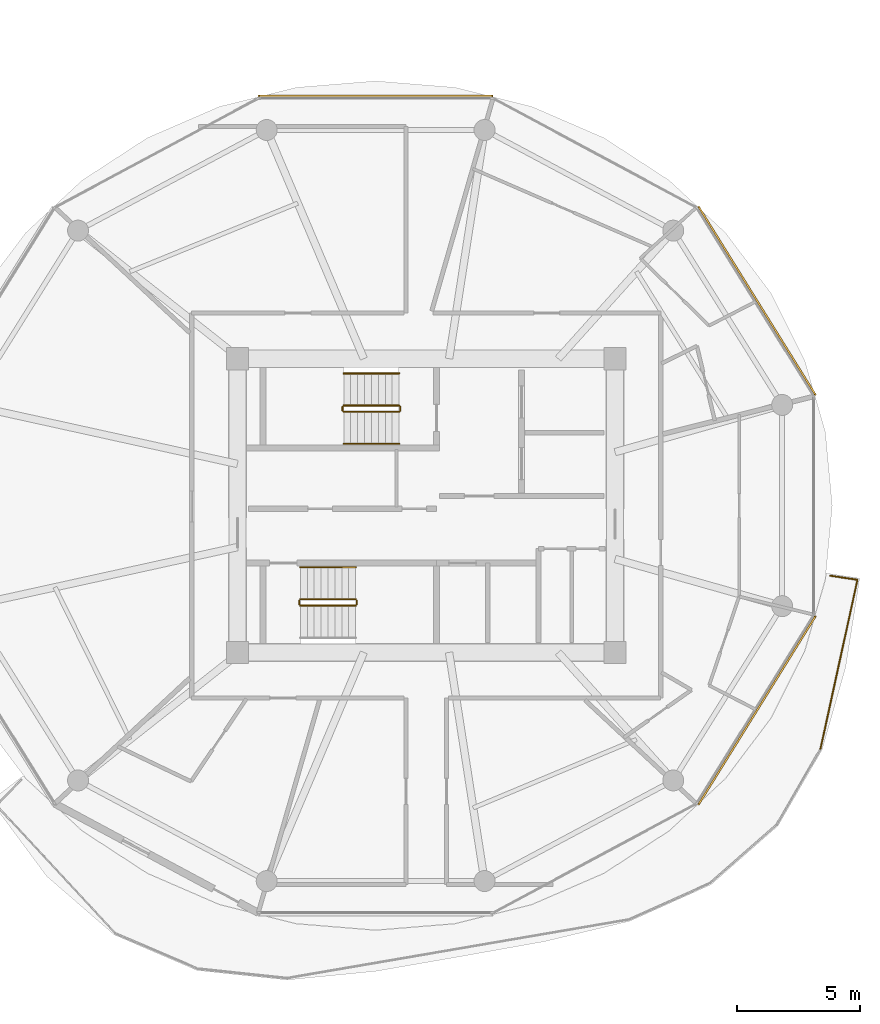
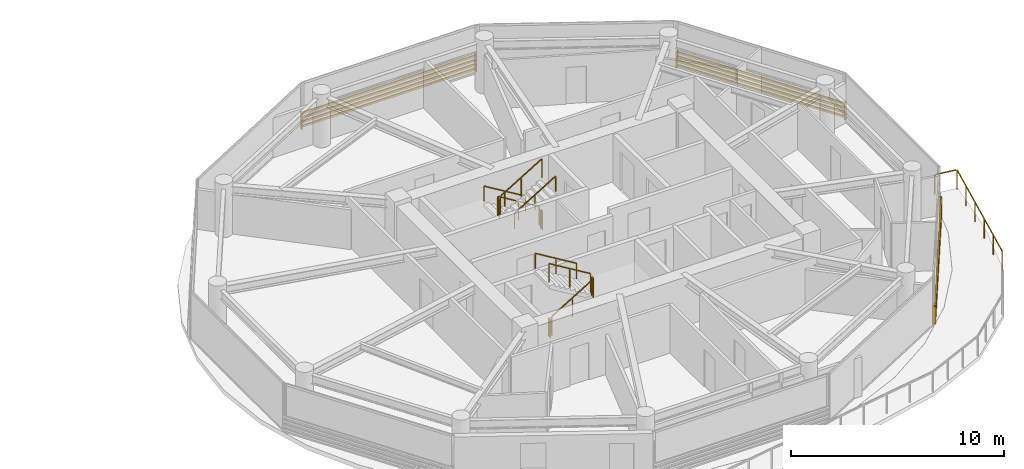
# One storey, part 22 of 22: 12 railings, 3 shading devices.
"""IFC4 building model written with IfcOpenShell, lengths in metres."""

from ifc_helpers import new_model, si_unit, direction, frame, origin, origin_2d, place, context, subcontext, project, spatial, rectangle, extrude, source, transform, mapped, material, type_object, type_shapes, element, save


model = new_model("IFC4")

# Units and contexts
model_context = context("Model", 3, precision=1e-05, world=origin(), true_north=direction((0.0, 1.0)))
body_context = subcontext(model_context, "Body", "Model", "MODEL_VIEW")
ifc_project = project(units=[si_unit("LENGTHUNIT", "METRE"), si_unit("AREAUNIT", "SQUARE_METRE"), si_unit("VOLUMEUNIT", "CUBIC_METRE"), si_unit("PLANEANGLEUNIT", "RADIAN"), si_unit("MASSUNIT", "GRAM", prefix="KILO")], contexts=[model_context])

# Site, building, storey
site_placement = place(None, origin())
site = spatial("IfcSite", under=ifc_project, at=site_placement, CompositionType="ELEMENT")
building_placement = place(site_placement, origin())
building = spatial("IfcBuilding", under=site, at=building_placement, Name="Norrkilde Senior Care Towers", CompositionType="ELEMENT")
storey_placement = place(building_placement, frame((0.0, 0.0, 87.10009765625)))
storey = spatial("IfcBuildingStorey", under=building, at=storey_placement, Name="L26", CompositionType="ELEMENT", Elevation=87.10009765625)

# Railings
ifc_material_1 = material(Name="Anodised Aluminium", Category="aluminium")
railing_type_1 = type_object("IfcRailingType", Name="Balcony Swirl Ribbon Guardrail 1150", PredefinedType="GUARDRAIL", material=ifc_material_1)
railing_1_placement = place(storey_placement, frame((44.36328125, -2.842529296875, 0.0)))
element("IfcRailing", 1, at=railing_1_placement, inside=storey, type_object=railing_type_1, Name="L26 Perimeter Safety Guard 02", PredefinedType="GUARDRAIL", context=body_context, shape_type="SweptSolid", body=[
    extrude(rectangle(XDim=0.048095703125, YDim=0.048095703125, at=origin_2d()), frame((0.0, 0.0, 1.1259765625), z_axis=(0.988933147251, -0.148361822135, 0.0), x_axis=(0.148361822135, 0.988933147251, 0.0)), (0.0, 0.0, 1.0), 1.076416015625),
    extrude(rectangle(XDim=0.048095703125, YDim=0.048095703125, at=origin_2d()), frame((1.09619140625, -0.205810546875, 1.1259765625), z_axis=(-0.213713498232, -0.976896381749, 0.0), x_axis=(0.976896381749, -0.213713498232, 0.0)), (0.0, 0.0, 1.0), 6.96875),
    extrude(rectangle(XDim=0.0419921875, YDim=0.0419921875, at=origin_2d()), origin(), (0.0, 0.0, 1.0), 1.099853515625),
    extrude(rectangle(XDim=0.0419921875, YDim=0.0419921875, at=origin_2d()), frame((1.10498046875, -0.165771484375, 0.0)), (0.0, 0.0, 1.0), 1.099853515625),
    extrude(rectangle(XDim=0.0419921875, YDim=0.0419921875, at=origin_2d()), frame((0.805419921875, -1.535400390625, 0.0)), (0.0, 0.0, 1.0), 1.099853515625),
    extrude(rectangle(XDim=0.0419921875, YDim=0.0419921875, at=origin_2d()), frame((0.505859375, -2.90478515625, 0.0)), (0.0, 0.0, 1.0), 1.099853515625),
    extrude(rectangle(XDim=0.0419921875, YDim=0.0419921875, at=origin_2d()), frame((0.2060546875, -4.2744140625, 0.0)), (0.0, 0.0, 1.0), 1.099853515625),
    extrude(rectangle(XDim=0.0419921875, YDim=0.0419921875, at=origin_2d()), frame((-0.093505859375, -5.643798828125, 0.0)), (0.0, 0.0, 1.0), 1.099853515625),
    extrude(rectangle(XDim=0.0419921875, YDim=0.0419921875, at=origin_2d()), frame((-0.39306640625, -7.013427734375, 0.0)), (0.0, 0.0, 1.0), 1.099853515625),
])
ifc_material_2 = material(Name="Stainless Steel", Category="steel")
railing_type_2 = type_object("IfcRailingType", Name="Stair and Terrace Guardrail 1100", PredefinedType="GUARDRAIL", material=ifc_material_2)
railing_2_placement = place(storey_placement, frame((26.89990234375, 4.050048828125, 0.16943359375)))
element("IfcRailing", 2, at=railing_2_placement, inside=storey, type_object=railing_type_2, Name="L26 ST-E1 stair guard 1", PredefinedType="GUARDRAIL", context=body_context, shape_type="SweptSolid", body=[
    extrude(rectangle(XDim=0.048095703125, YDim=0.048095703125, at=origin_2d()), frame((0.0, 0.0, 1.076171875), z_axis=(-0.855553338991, 0.0, 0.51771467445), x_axis=(0.0, -1.0, 0.0)), (0.0, 0.0, 1.0), 2.6181640625),
    extrude(rectangle(XDim=0.0419921875, YDim=0.0419921875, at=origin_2d()), origin(), (0.0, 0.0, 1.0), 1.050048828125),
    extrude(rectangle(XDim=0.0419921875, YDim=0.0419921875, at=origin_2d()), frame((-1.1201171875, 0.0, 0.677734375)), (0.0, 0.0, 1.0), 1.050048828125),
    extrude(rectangle(XDim=0.0419921875, YDim=0.0419921875, at=origin_2d()), frame((-2.239990234375, 0.0, 1.35546875)), (0.0, 0.0, 1.0), 1.050048828125),
])
railing_3_placement = place(storey_placement, frame((24.610107421875, 4.0, 1.52490234375)))
element("IfcRailing", 3, at=railing_3_placement, inside=storey, type_object=railing_type_2, Name="L26 ST-E1 stair guard 2", PredefinedType="GUARDRAIL", context=body_context, shape_type="SweptSolid", body=[
    extrude(rectangle(XDim=0.048095703125, YDim=0.048095703125, at=origin_2d()), frame((0.0, 0.0, 1.076171875), z_axis=(0.0, -1.0, 0.0), x_axis=(1.0, 0.0, 0.0)), (0.0, 0.0, 1.0), 0.14990234375),
    extrude(rectangle(XDim=0.0419921875, YDim=0.0419921875, at=origin_2d()), origin(), (0.0, 0.0, 1.0), 1.050048828125),
    extrude(rectangle(XDim=0.0419921875, YDim=0.0419921875, at=origin_2d()), frame((0.0, -0.14990234375, 0.0)), (0.0, 0.0, 1.0), 1.050048828125),
])
railing_4_placement = place(storey_placement, frame((24.659912109375, 3.800048828125, 1.6943359375)))
element("IfcRailing", 4, at=railing_4_placement, inside=storey, type_object=railing_type_2, Name="L26 ST-E1 stair guard 3", PredefinedType="GUARDRAIL", context=body_context, shape_type="SweptSolid", body=[
    extrude(rectangle(XDim=0.048095703125, YDim=0.048095703125, at=origin_2d()), frame((0.0, 0.0, 1.076171875), z_axis=(0.855553338991, 0.0, 0.51771467445), x_axis=(0.0, 1.0, 0.0)), (0.0, 0.0, 1.0), 2.6181640625),
    extrude(rectangle(XDim=0.0419921875, YDim=0.0419921875, at=origin_2d()), origin(), (0.0, 0.0, 1.0), 1.050048828125),
    extrude(rectangle(XDim=0.0419921875, YDim=0.0419921875, at=origin_2d()), frame((1.1201171875, 0.0, 0.677734375)), (0.0, 0.0, 1.0), 1.050048828125),
    extrude(rectangle(XDim=0.0419921875, YDim=0.0419921875, at=origin_2d()), frame((2.239990234375, 0.0, 1.35546875)), (0.0, 0.0, 1.0), 1.050048828125),
])
railing_5_placement = place(storey_placement, frame((26.949951171875, 4.0, 0.0)))
element("IfcRailing", 5, at=railing_5_placement, inside=storey, type_object=railing_type_2, Name="L26 ST-E1 stair guard 4", PredefinedType="GUARDRAIL", context=body_context, shape_type="SweptSolid", body=[
    extrude(rectangle(XDim=0.048095703125, YDim=0.048095703125, at=origin_2d()), frame((0.0, 0.0, 1.076171875), z_axis=(0.0, -1.0, 0.0), x_axis=(1.0, 0.0, 0.0)), (0.0, 0.0, 1.0), 0.14990234375),
    extrude(rectangle(XDim=0.0419921875, YDim=0.0419921875, at=origin_2d()), origin(), (0.0, 0.0, 1.0), 1.050048828125),
    extrude(rectangle(XDim=0.0419921875, YDim=0.0419921875, at=origin_2d()), frame((0.0, -0.14990234375, 0.0)), (0.0, 0.0, 1.0), 1.050048828125),
])
railing_6_placement = place(storey_placement, frame((22.89990234375, -4.050048828125, 0.16943359375)))
element("IfcRailing", 6, at=railing_6_placement, inside=storey, type_object=railing_type_2, Name="L26 ST-E2 stair guard 1", PredefinedType="GUARDRAIL", context=body_context, shape_type="SweptSolid", body=[
    extrude(rectangle(XDim=0.048095703125, YDim=0.048095703125, at=origin_2d()), frame((0.0, 0.0, 1.076171875), z_axis=(0.855553338991, 0.0, 0.51771467445), x_axis=(0.0, 1.0, 0.0)), (0.0, 0.0, 1.0), 2.6181640625),
    extrude(rectangle(XDim=0.0419921875, YDim=0.0419921875, at=origin_2d()), origin(), (0.0, 0.0, 1.0), 1.050048828125),
    extrude(rectangle(XDim=0.0419921875, YDim=0.0419921875, at=origin_2d()), frame((1.1201171875, 0.0, 0.677734375)), (0.0, 0.0, 1.0), 1.050048828125),
    extrude(rectangle(XDim=0.0419921875, YDim=0.0419921875, at=origin_2d()), frame((2.239990234375, 0.0, 1.35546875)), (0.0, 0.0, 1.0), 1.050048828125),
])
railing_7_placement = place(storey_placement, frame((25.18994140625, -4.0, 1.52490234375)))
element("IfcRailing", 7, at=railing_7_placement, inside=storey, type_object=railing_type_2, Name="L26 ST-E2 stair guard 2", PredefinedType="GUARDRAIL", context=body_context, shape_type="SweptSolid", body=[
    extrude(rectangle(XDim=0.048095703125, YDim=0.048095703125, at=origin_2d()), frame((0.0, 0.0, 1.076171875), z_axis=(0.0, 1.0, 0.0), x_axis=(-1.0, 0.0, 0.0)), (0.0, 0.0, 1.0), 0.14990234375),
    extrude(rectangle(XDim=0.0419921875, YDim=0.0419921875, at=origin_2d()), origin(), (0.0, 0.0, 1.0), 1.050048828125),
    extrude(rectangle(XDim=0.0419921875, YDim=0.0419921875, at=origin_2d()), frame((0.0, 0.14990234375, 0.0)), (0.0, 0.0, 1.0), 1.050048828125),
])
railing_8_placement = place(storey_placement, frame((25.139892578125, -3.800048828125, 1.6943359375)))
element("IfcRailing", 8, at=railing_8_placement, inside=storey, type_object=railing_type_2, Name="L26 ST-E2 stair guard 3", PredefinedType="GUARDRAIL", context=body_context, shape_type="SweptSolid", body=[
    extrude(rectangle(XDim=0.048095703125, YDim=0.048095703125, at=origin_2d()), frame((0.0, 0.0, 1.076171875), z_axis=(-0.855553338991, 0.0, 0.51771467445), x_axis=(0.0, -1.0, 0.0)), (0.0, 0.0, 1.0), 2.6181640625),
    extrude(rectangle(XDim=0.0419921875, YDim=0.0419921875, at=origin_2d()), origin(), (0.0, 0.0, 1.0), 1.050048828125),
    extrude(rectangle(XDim=0.0419921875, YDim=0.0419921875, at=origin_2d()), frame((-1.1201171875, 0.0, 0.677734375)), (0.0, 0.0, 1.0), 1.050048828125),
    extrude(rectangle(XDim=0.0419921875, YDim=0.0419921875, at=origin_2d()), frame((-2.239990234375, 0.0, 1.35546875)), (0.0, 0.0, 1.0), 1.050048828125),
])
railing_9_placement = place(storey_placement, frame((22.85009765625, -4.0, 0.0)))
element("IfcRailing", 9, at=railing_9_placement, inside=storey, type_object=railing_type_2, Name="L26 ST-E2 stair guard 4", PredefinedType="GUARDRAIL", context=body_context, shape_type="SweptSolid", body=[
    extrude(rectangle(XDim=0.048095703125, YDim=0.048095703125, at=origin_2d()), frame((0.0, 0.0, 1.076171875), z_axis=(0.0, 1.0, 0.0), x_axis=(-1.0, 0.0, 0.0)), (0.0, 0.0, 1.0), 0.14990234375),
    extrude(rectangle(XDim=0.0419921875, YDim=0.0419921875, at=origin_2d()), origin(), (0.0, 0.0, 1.0), 1.050048828125),
    extrude(rectangle(XDim=0.0419921875, YDim=0.0419921875, at=origin_2d()), frame((0.0, 0.14990234375, 0.0)), (0.0, 0.0, 1.0), 1.050048828125),
])
ifc_material_3 = material(Name="Nordic Ash Timber", Category="wood")
railing_type_3 = type_object("IfcRailingType", Name="Wall and Stair Handrail 900", PredefinedType="HANDRAIL", material=ifc_material_3)
railing_10_placement = place(storey_placement, frame((26.89990234375, 5.35009765625, 0.16943359375)))
element("IfcRailing", 10, at=railing_10_placement, inside=storey, type_object=railing_type_3, Name="L26 ST-E1 stair handrail 1", PredefinedType="HANDRAIL", context=body_context, shape_type="SweptSolid", body=[
    extrude(rectangle(XDim=0.048095703125, YDim=0.048095703125, at=origin_2d()), frame((0.0, 0.0, 0.8759765625), z_axis=(-0.855553338991, 0.0, 0.51771467445), x_axis=(0.0, -1.0, 0.0)), (0.0, 0.0, 1.0), 2.6181640625),
    extrude(rectangle(XDim=0.0419921875, YDim=0.0419921875, at=origin_2d()), origin(), (0.0, 0.0, 1.0), 0.849853515625),
    extrude(rectangle(XDim=0.0419921875, YDim=0.0419921875, at=origin_2d()), frame((-1.1201171875, 0.0, 0.677734375)), (0.0, 0.0, 1.0), 0.849853515625),
    extrude(rectangle(XDim=0.0419921875, YDim=0.0419921875, at=origin_2d()), frame((-2.239990234375, 0.0, 1.35546875)), (0.0, 0.0, 1.0), 0.849853515625),
])
railing_11_placement = place(storey_placement, frame((24.659912109375, 2.5, 1.6943359375)))
element("IfcRailing", 11, at=railing_11_placement, inside=storey, type_object=railing_type_3, Name="L26 ST-E1 stair handrail 2", PredefinedType="HANDRAIL", context=body_context, shape_type="SweptSolid", body=[
    extrude(rectangle(XDim=0.048095703125, YDim=0.048095703125, at=origin_2d()), frame((0.0, 0.0, 0.8759765625), z_axis=(0.855553338991, 0.0, 0.51771467445), x_axis=(0.0, 1.0, 0.0)), (0.0, 0.0, 1.0), 2.6181640625),
    extrude(rectangle(XDim=0.0419921875, YDim=0.0419921875, at=origin_2d()), origin(), (0.0, 0.0, 1.0), 0.849853515625),
    extrude(rectangle(XDim=0.0419921875, YDim=0.0419921875, at=origin_2d()), frame((1.1201171875, 0.0, 0.677734375)), (0.0, 0.0, 1.0), 0.849853515625),
    extrude(rectangle(XDim=0.0419921875, YDim=0.0419921875, at=origin_2d()), frame((2.239990234375, 0.0, 1.35546875)), (0.0, 0.0, 1.0), 0.849853515625),
])
railing_12_placement = place(storey_placement, frame((25.139892578125, -2.5, 1.6943359375)))
element("IfcRailing", 12, at=railing_12_placement, inside=storey, type_object=railing_type_3, Name="L26 ST-E2 stair handrail 2", PredefinedType="HANDRAIL", context=body_context, shape_type="SweptSolid", body=[
    extrude(rectangle(XDim=0.048095703125, YDim=0.048095703125, at=origin_2d()), frame((0.0, 0.0, 0.8759765625), z_axis=(-0.855553338991, 0.0, 0.51771467445), x_axis=(0.0, -1.0, 0.0)), (0.0, 0.0, 1.0), 2.6181640625),
    extrude(rectangle(XDim=0.0419921875, YDim=0.0419921875, at=origin_2d()), origin(), (0.0, 0.0, 1.0), 0.849853515625),
    extrude(rectangle(XDim=0.0419921875, YDim=0.0419921875, at=origin_2d()), frame((-1.1201171875, 0.0, 0.677734375)), (0.0, 0.0, 1.0), 0.849853515625),
    extrude(rectangle(XDim=0.0419921875, YDim=0.0419921875, at=origin_2d()), frame((-2.239990234375, 0.0, 1.35546875)), (0.0, 0.0, 1.0), 0.849853515625),
])

# Shading devices
ifc_material_4 = material(Name="Architectural Terracotta", Category="masonry")
shading_device_type = type_object("IfcShadingDeviceType", Name="Horizontal Terracotta Baguette Rack", PredefinedType="USERDEFINED", material=ifc_material_4)
shared_shape_1 = source(origin(), body_context, "Body", "SweptSolid", [
    extrude(rectangle(XDim=0.070068359375, YDim=0.110107421875, at=origin_2d()), frame((0.0, 0.090087890625, 0.125), z_axis=(1.0, 0.0, 0.0), x_axis=(0.0, 1.0, 0.0)), (0.0, 0.0, 1.0), 9.01416015625),
    extrude(rectangle(XDim=0.070068359375, YDim=0.110107421875, at=origin_2d()), frame((0.0, 0.090087890625, 0.375), z_axis=(1.0, 0.0, 0.0), x_axis=(0.0, 1.0, 0.0)), (0.0, 0.0, 1.0), 9.01416015625),
    extrude(rectangle(XDim=0.070068359375, YDim=0.110107421875, at=origin_2d()), frame((0.0, 0.090087890625, 0.625), z_axis=(1.0, 0.0, 0.0), x_axis=(0.0, 1.0, 0.0)), (0.0, 0.0, 1.0), 9.01416015625),
    extrude(rectangle(XDim=0.070068359375, YDim=0.110107421875, at=origin_2d()), frame((0.0, 0.090087890625, 0.875), z_axis=(1.0, 0.0, 0.0), x_axis=(0.0, 1.0, 0.0)), (0.0, 0.0, 1.0), 9.01416015625),
    extrude(rectangle(XDim=0.050048828125, YDim=0.1552734375, at=origin_2d()), frame((0.02490234375, 0.047607421875, 0.0)), (0.0, 0.0, 1.0), 1.0),
    extrude(rectangle(XDim=0.050048828125, YDim=0.1552734375, at=origin_2d()), frame((8.9892578125, 0.047607421875, 0.0)), (0.0, 0.0, 1.0), 1.0),
])
for number, where, z_axis, x_axis, name in (
    (13, (38.946533203125, 12.077392578125, 0.079833984375), (0.0, 0.0, 1.0), (0.527734142246, -0.849412274525, 0.0), "L26 Drum E Terracotta Baguette Screen 00"),
    (14, (43.70361328125, -4.420654296875, 0.079833984375), (0.0, 0.0, 1.0), (-0.527734142246, -0.849412274525, 0.0), "L26 Drum E Terracotta Baguette Screen 10"),
):
    element("IfcShadingDevice", number, at=place(storey_placement, frame(where, z_axis=z_axis, x_axis=x_axis)), inside=storey, type_object=shading_device_type, Name=name, ObjectType="BAGUETTE", PredefinedType="USERDEFINED", context=body_context, shape_type="MappedRepresentation", body=[
        mapped(shared_shape_1, transform((0.0, 0.0, 0.0), x_axis=(1.0, 0.0, 0.0), y_axis=(0.0, 1.0, 0.0), z_axis=(0.0, 0.0, 1.0), scale=1.0)),
    ])
shared_shape_2 = source(origin(), body_context, "Body", "SweptSolid", [
    extrude(rectangle(XDim=0.070068359375, YDim=0.110107421875, at=origin_2d()), frame((0.0, 0.090087890625, 0.125), z_axis=(1.0, 0.0, 0.0), x_axis=(0.0, 1.0, 0.0)), (0.0, 0.0, 1.0), 9.51416015625),
    extrude(rectangle(XDim=0.070068359375, YDim=0.110107421875, at=origin_2d()), frame((0.0, 0.090087890625, 0.375), z_axis=(1.0, 0.0, 0.0), x_axis=(0.0, 1.0, 0.0)), (0.0, 0.0, 1.0), 9.51416015625),
    extrude(rectangle(XDim=0.070068359375, YDim=0.110107421875, at=origin_2d()), frame((0.0, 0.090087890625, 0.625), z_axis=(1.0, 0.0, 0.0), x_axis=(0.0, 1.0, 0.0)), (0.0, 0.0, 1.0), 9.51416015625),
    extrude(rectangle(XDim=0.070068359375, YDim=0.110107421875, at=origin_2d()), frame((0.0, 0.090087890625, 0.875), z_axis=(1.0, 0.0, 0.0), x_axis=(0.0, 1.0, 0.0)), (0.0, 0.0, 1.0), 9.51416015625),
    extrude(rectangle(XDim=0.050048828125, YDim=0.1552734375, at=origin_2d()), frame((0.02490234375, 0.047607421875, 0.0)), (0.0, 0.0, 1.0), 1.0),
    extrude(rectangle(XDim=0.050048828125, YDim=0.1552734375, at=origin_2d()), frame((9.4892578125, 0.047607421875, 0.0)), (0.0, 0.0, 1.0), 1.0),
])
type_shapes(shading_device_type, [shared_shape_1, shared_shape_2])
shading_device_placement = place(storey_placement, frame((21.19287109375, 16.498046875, 0.079833984375), z_axis=(0.0, 0.0, 1.0), x_axis=(1.0, 0.0, 0.0)))
element("IfcShadingDevice", 15, at=shading_device_placement, inside=storey, type_object=shading_device_type, Name="L26 Drum E Terracotta Baguette Screen 02", ObjectType="BAGUETTE", PredefinedType="USERDEFINED", context=body_context, shape_type="MappedRepresentation", body=[
    mapped(shared_shape_2, transform((0.0, 0.0, 0.0), x_axis=(1.0, 0.0, 0.0), y_axis=(0.0, 1.0, 0.0), z_axis=(0.0, 0.0, 1.0), scale=1.0)),
])

save(model, "model.ifc")
